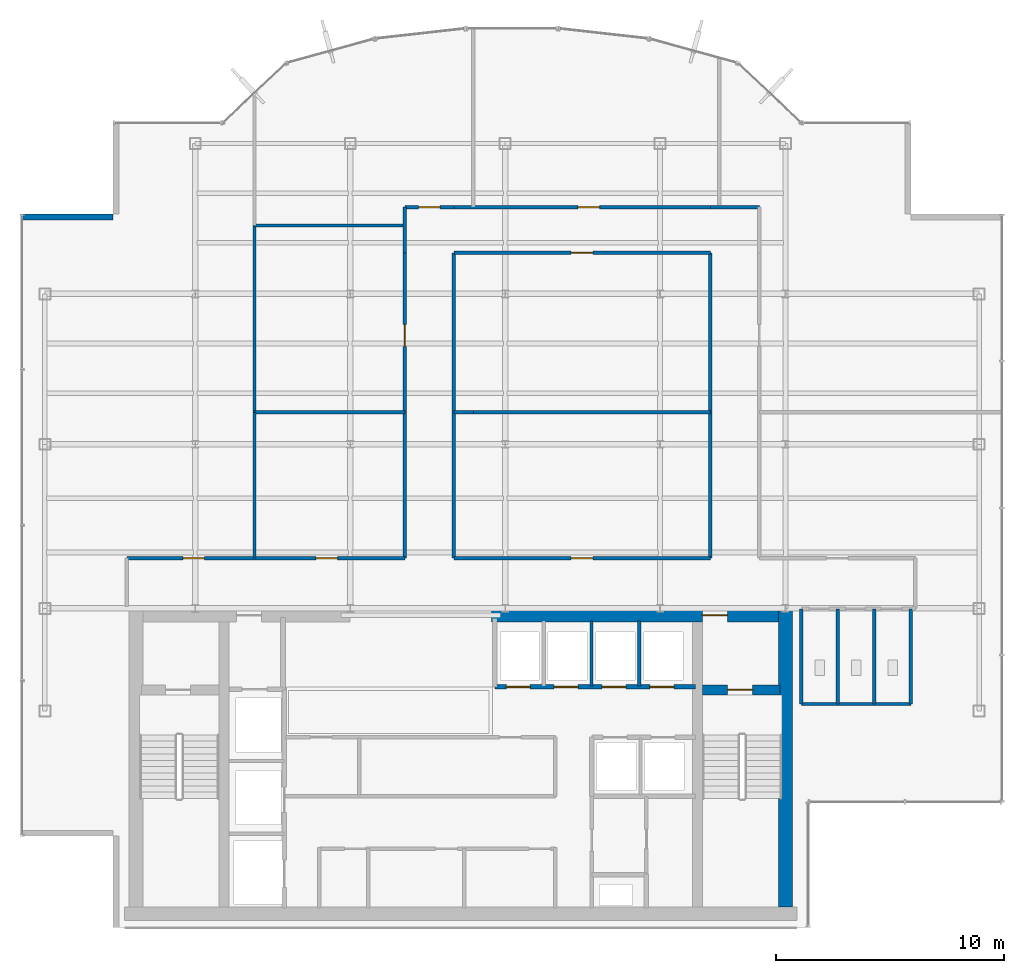
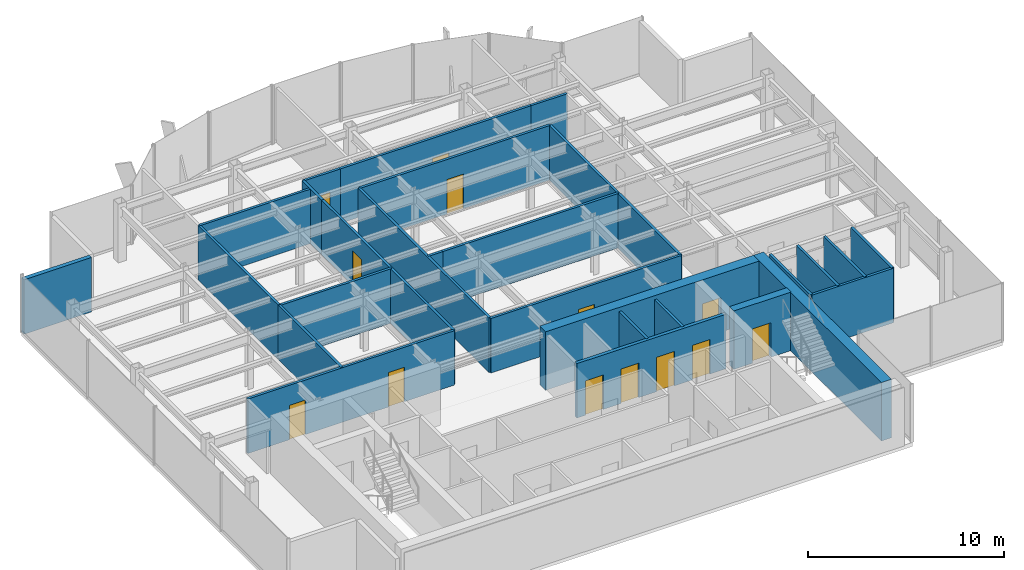
# One storey, part 18 of 22: 28 walls, 13 doors, 13 openings.
"""IFC4 building model written with IfcOpenShell, lengths in metres."""

import ifcopenshell
import ifcopenshell.guid

model = None  # the IFC model being written
_history = None  # IfcOwnerHistory: only IFC2X3 demands one
_inside = {}  # id of a spatial element -> (the spatial element, [elements in it])
_under = {}  # id of a project, library or spatial element -> (it, [spatial elements below it])
_declared = {}  # id of a project -> (the project, [libraries it declares])
_typed = {}  # id of a type object -> (the type object, [elements of that type])
_made_of = {}  # id of a material, layer set ... -> (it, [elements and type objects made of it])


def new_model(schema):
    """Start an empty IFC model of exactly this schema.

    Asked for "IFC4X3", IfcOpenShell would pick the latest addendum, in which some entities
    have other attributes; the version numbers below select the first issue.
    IFC2X3 requires an IfcOwnerHistory on every rooted entity: one is made here for all.
    """
    global model, _history
    if schema == "IFC4X3":
        model = ifcopenshell.file(schema_version=(4, 3, 0, 0))
    else:
        model = ifcopenshell.file(schema=schema)
    _inside.clear()
    _under.clear()
    _declared.clear()
    _typed.clear()
    _made_of.clear()
    _history = None
    if model.schema == "IFC2X3":
        org = make("IfcOrganization", Name="unknown")
        user = make(
            "IfcPersonAndOrganization",
            ThePerson=make("IfcPerson", FamilyName="unknown"),
            TheOrganization=org,
        )
        app = make(
            "IfcApplication",
            ApplicationDeveloper=org,
            Version="unknown",
            ApplicationFullName="unknown",
            ApplicationIdentifier="unknown",
        )
        _history = make(
            "IfcOwnerHistory",
            OwningUser=user,
            OwningApplication=app,
            ChangeAction="ADDED",
            CreationDate=0,
        )
    return model


def make(cls, **values):
    """One entity of the class cls with the attributes given. An attribute that is None is left unset."""
    return model.create_entity(
        cls, **{name: value for name, value in values.items() if value is not None}
    )


def rooted(cls, **values):
    """An entity with a GlobalId (a new one), such as an element, a storey or a relation."""
    return make(cls, GlobalId=ifcopenshell.guid.new(), OwnerHistory=_history, **values)


def si_unit(unit_type, name, prefix=None):
    """IfcSIUnit, for example si_unit("LENGTHUNIT", "METRE", prefix="MILLI")."""
    return make("IfcSIUnit", UnitType=unit_type, Prefix=prefix, Name=name)


def derived_unit(unit_type, elements):
    """IfcDerivedUnit: a product of units, each with its exponent."""
    return make(
        "IfcDerivedUnit",
        Elements=[
            make("IfcDerivedUnitElement", Unit=unit, Exponent=power)
            for unit, power in elements
        ],
        UnitType=unit_type,
    )


def assignment(units):
    """IfcUnitAssignment: the units of a project."""
    return None if units is None else make("IfcUnitAssignment", Units=units)


def point(xyz):
    """IfcCartesianPoint."""
    return None if xyz is None else make("IfcCartesianPoint", Coordinates=xyz)


def direction(xyz):
    """IfcDirection."""
    return None if xyz is None else make("IfcDirection", DirectionRatios=xyz)


def frame(location, z_axis=None, x_axis=None):
    """IfcAxis2Placement3D, a coordinate frame: its origin and axes. An axis left out is left unset."""
    return make(
        "IfcAxis2Placement3D",
        Location=point(location),
        Axis=direction(z_axis),
        RefDirection=direction(x_axis),
    )


def frame_2d(location, x_axis=None):
    """IfcAxis2Placement2D, a coordinate frame in the plane: its origin and x axis."""
    return make(
        "IfcAxis2Placement2D", Location=point(location), RefDirection=direction(x_axis)
    )


def origin():
    """The frame at (0, 0, 0) with its axes left unset."""
    return frame((0.0, 0.0, 0.0))


def place(relative_to, where):
    """IfcLocalPlacement: puts the frame where relative to a parent placement (None: the world)."""
    return make(
        "IfcLocalPlacement", PlacementRelTo=relative_to, RelativePlacement=where
    )


def context(
    kind, dimensions, precision=None, world=None, true_north=None, identifier=None
):
    """IfcGeometricRepresentationContext, for example the 3D "Model" context."""
    return make(
        "IfcGeometricRepresentationContext",
        ContextIdentifier=identifier,
        ContextType=kind,
        CoordinateSpaceDimension=dimensions,
        Precision=precision,
        WorldCoordinateSystem=world,
        TrueNorth=true_north,
    )


def subcontext(parent, identifier, kind, view, scale=None):
    """IfcGeometricRepresentationSubContext, for example "Body" below "Model"."""
    return make(
        "IfcGeometricRepresentationSubContext",
        ContextIdentifier=identifier,
        ContextType=kind,
        ParentContext=parent,
        TargetScale=scale,
        TargetView=view,
    )


def project(units=None, contexts=None):
    """IfcProject with its units and contexts."""
    return rooted(
        "IfcProject",
        Name="project",
        RepresentationContexts=contexts,
        UnitsInContext=assignment(units),
    )


def spatial(cls, under=None, at=None, **own):
    """A site, building, storey or space (cls), placed at a placement, below another one or the project."""
    s = rooted(cls, ObjectPlacement=at, **own)
    if under is not None:
        _under.setdefault(under.id(), (under, []))[1].append(s)
    return s


def profile(cls, at=None, kind="AREA", **sizes):
    """A parametric profile (cls). Its sizes go by their IFC names, for example OverallWidth=200.0."""
    return make(cls, ProfileType=kind, Position=at, **sizes)


def rectangle(**sizes):
    """IfcRectangleProfileDef."""
    return profile("IfcRectangleProfileDef", **sizes)


def extrude(swept, where, along, depth):
    """IfcExtrudedAreaSolid: the profile swept, set in the frame where, extruded along a direction by depth."""
    return make(
        "IfcExtrudedAreaSolid",
        SweptArea=swept,
        Position=where,
        ExtrudedDirection=direction(along),
        Depth=depth,
    )


def shape(context_of_items, identifier, shape_type, items):
    """IfcShapeRepresentation: the items that make up one representation, for example the "Body"."""
    return make(
        "IfcShapeRepresentation",
        ContextOfItems=context_of_items,
        RepresentationIdentifier=identifier,
        RepresentationType=shape_type,
        Items=items,
    )


def source(mapping_origin, context_of_items, identifier, shape_type, items):
    """IfcRepresentationMap: a shape defined once, which mapped items show again and again."""
    return make(
        "IfcRepresentationMap",
        MappingOrigin=mapping_origin,
        MappedRepresentation=shape(context_of_items, identifier, shape_type, items),
    )


def transform(
    local_origin,
    x_axis=None,
    y_axis=None,
    z_axis=None,
    scale=None,
    scale2=None,
    scale3=None,
    uniform=True,
):
    """IfcCartesianTransformationOperator3D, or its non-uniform kind. x_axis, y_axis, z_axis: its Axis1, 2, 3."""
    if uniform:
        return make(
            "IfcCartesianTransformationOperator3D",
            Axis1=direction(x_axis),
            Axis2=direction(y_axis),
            LocalOrigin=point(local_origin),
            Scale=scale,
            Axis3=direction(z_axis),
        )
    return make(
        "IfcCartesianTransformationOperator3DnonUniform",
        Axis1=direction(x_axis),
        Axis2=direction(y_axis),
        LocalOrigin=point(local_origin),
        Scale=scale,
        Axis3=direction(z_axis),
        Scale2=scale2,
        Scale3=scale3,
    )


def mapped(mapping_source, mapping_target):
    """IfcMappedItem: shows the shape of a source again, moved by a transform."""
    return make(
        "IfcMappedItem", MappingSource=mapping_source, MappingTarget=mapping_target
    )


def material(Name=None, Category=None):
    """IfcMaterial."""
    return make("IfcMaterial", Name=Name, Category=Category)


def layer(
    of_material, thickness, ventilated=None, Name=None, Category=None, Priority=None
):
    """IfcMaterialLayer: one layer of a wall or slab, of a material (None: an air gap)."""
    return make(
        "IfcMaterialLayer",
        Material=of_material,
        LayerThickness=thickness,
        IsVentilated=ventilated,
        Name=Name,
        Category=Category,
        Priority=Priority,
    )


def layer_set(layers, Name=None):
    """IfcMaterialLayerSet."""
    return make("IfcMaterialLayerSet", MaterialLayers=layers, LayerSetName=Name)


def made_of(thing, what):
    """Note that an element or type object is made of a material, layer set ...; save() writes the relation."""
    if what is not None:
        _made_of.setdefault(what.id(), (what, []))[1].append(thing)
    return thing


def type_object(cls, material=None, **own):
    """A type object (cls), such as IfcWallType, which elements share."""
    return made_of(rooted(cls, **own), material)


def element(
    cls,
    number,
    at=None,
    inside=None,
    cuts=None,
    type_object=None,
    material=None,
    context=None,
    identifier="Body",
    shape_type=None,
    held_by="IfcProductDefinitionShape",
    body=None,
    shapes=None,
    **own,
):
    """One element of the class cls, such as IfcWall. Its Tag is "e" and its number.

    at: its placement. inside: the storey or other place that contains it. cuts: it is an
    opening in that element (IfcRelVoidsElement). A single representation is given by context,
    identifier, shape_type and body (its items); several are given by shapes. held_by: the class
    of the entity that holds the representations. save() writes the other relations.
    """
    e = rooted(cls, Tag="e%d" % number, ObjectPlacement=at, **own)
    if body is not None:
        shapes = [shape(context, identifier, shape_type, body)]
    if shapes is not None:
        e.Representation = make(held_by, Representations=shapes)
    if inside is not None:
        _inside.setdefault(inside.id(), (inside, []))[1].append(e)
    if cuts is not None:
        rooted(
            "IfcRelVoidsElement", RelatingBuildingElement=cuts, RelatedOpeningElement=e
        )
    if type_object is not None:
        _typed.setdefault(type_object.id(), (type_object, []))[1].append(e)
    return made_of(e, material)


def fill(opening, filler):
    """IfcRelFillsElement: the door or window that sits in an opening."""
    return rooted(
        "IfcRelFillsElement",
        RelatingOpeningElement=opening,
        RelatedBuildingElement=filler,
    )


def aggregate(whole, parts):
    """IfcRelAggregates: a whole, such as a stair, and the parts it consists of."""
    return rooted("IfcRelAggregates", RelatingObject=whole, RelatedObjects=parts)


def save(model, path):
    """Write the relations noted so far, then the file.

    IfcRelAggregates (storeys below a building ...), IfcRelContainedInSpatialStructure (elements
    in a storey), IfcRelDefinesByType, IfcRelAssociatesMaterial and IfcRelDeclares: one each for
    every whole, place, type object, material and project.
    """
    for whole, parts in _under.values():
        aggregate(whole, parts)
    for where, things in _inside.values():
        rooted(
            "IfcRelContainedInSpatialStructure",
            RelatedElements=things,
            RelatingStructure=where,
        )
    for kind, things in _typed.values():
        rooted("IfcRelDefinesByType", RelatedObjects=things, RelatingType=kind)
    for what, things in _made_of.values():
        rooted("IfcRelAssociatesMaterial", RelatedObjects=things, RelatingMaterial=what)
    for by, libraries in _declared.values():
        rooted("IfcRelDeclares", RelatingContext=by, RelatedDefinitions=libraries)
    model.write(path)


model = new_model("IFC4")

# Units and contexts
model_context = context("Model", 3, precision=1e-05, world=origin(), true_north=direction((0.0, 1.0)))
body_context = subcontext(model_context, "Body", "Model", "MODEL_VIEW")
ifc_project = project(units=[si_unit("LENGTHUNIT", "METRE"), si_unit("AREAUNIT", "SQUARE_METRE"), si_unit("VOLUMEUNIT", "CUBIC_METRE"), si_unit("PLANEANGLEUNIT", "RADIAN"), si_unit("MASSUNIT", "GRAM", prefix="KILO"), derived_unit("THERMALTRANSMITTANCEUNIT", [(si_unit("POWERUNIT", "WATT"), 1), (si_unit("LENGTHUNIT", "METRE"), -2), (si_unit("THERMODYNAMICTEMPERATUREUNIT", "KELVIN"), -1)])], contexts=[model_context])

# Site, building, storey
site_placement = place(None, origin())
site = spatial("IfcSite", under=ifc_project, at=site_placement, CompositionType="ELEMENT")
building_placement = place(site_placement, origin())
building = spatial("IfcBuilding", under=site, at=building_placement, Name="Skarnbrae Concourse Arena and Tower", CompositionType="ELEMENT")
storey_placement = place(building_placement, frame((0.0, 0.0, 269.75)))
storey = spatial("IfcBuildingStorey", under=building, at=storey_placement, Name="L70", CompositionType="ELEMENT", Elevation=269.75)

# Wall, opening, door
ifc_material_1 = material(Name="Concrete 50 MPa (C50/60)", Category="concrete")
ifc_layer_1 = layer(ifc_material_1, 0.449951171875)
ifc_layer_set_1 = layer_set([ifc_layer_1], Name="Concrete 50 MPa (C50/60)")
wall_type_1 = type_object("IfcWallType", Name="WALL-CORE-450-C50", PredefinedType="SHEAR", material=ifc_layer_set_1)
shared_shape_1 = source(origin(), body_context, "Body", "SweptSolid", [
    extrude(rectangle(XDim=3.389892578125, YDim=0.449951171875, at=frame_2d((1.69482421875, 0.0))), origin(), (0.0, 0.0, 1.0), 3.64990234375),
])
wall_1_placement = place(storey_placement, frame((29.860107421875, 10.419921875, 0.0), z_axis=(0.0, 0.0, 1.0), x_axis=(1.0, 0.0, 0.0)))
wall_1 = element("IfcWall", 1, at=wall_1_placement, inside=storey, type_object=wall_type_1, Name="L70 Rear core shear wall CW-ST2-N", PredefinedType="SHEAR", context=body_context, shape_type="MappedRepresentation", body=[
    mapped(shared_shape_1, transform((0.0, 0.0, 0.0))),
])
opening_1_placement = place(wall_1_placement, frame((1.10009765625, 0.0, 0.0)))
opening_1 = element("IfcOpeningElement", 2, at=opening_1_placement, cuts=wall_1, Name="Opening DT-03", PredefinedType="OPENING", context=body_context, shape_type="SweptSolid", body=[
    extrude(rectangle(XDim=1.10009765625, YDim=2.14990234375, at=frame_2d((0.550048828125, 1.074951171875))), frame((0.0, 0.23486328125, 0.0), z_axis=(0.0, -1.0, 0.0), x_axis=(1.0, 0.0, 0.0)), (0.0, 0.0, 1.0), 0.469970703125),
])
ifc_material_2 = material(Name="Steel CSA G40.21 350W", Category="steel")
door_type_1 = type_object("IfcDoorType", Name="DOOR-FIRE-1100-90M", OperationType="NOTDEFINED", PredefinedType="DOOR", material=ifc_material_2)
shared_shape_2 = source(origin(), body_context, "Body", "SweptSolid", [
    extrude(rectangle(XDim=1.10009765625, YDim=2.14990234375, at=frame_2d((0.550048828125, 1.074951171875))), frame((0.0, 0.02490234375, 0.0), z_axis=(0.0, -1.0, 0.0), x_axis=(1.0, 0.0, 0.0)), (0.0, 0.0, 1.0), 0.050048828125),
])
door_1_placement = place(opening_1_placement, frame((1.10009765625, 0.0, 0.0), z_axis=(0.0, 0.0, 1.0), x_axis=(-1.0, 0.0, 0.0)))
door_1 = element("IfcDoor", 3, at=door_1_placement, inside=storey, type_object=door_type_1, Name="D-2107 Stair ST-2 Door", OperationType="SINGLE_SWING_RIGHT", OverallHeight=2.14990234375, OverallWidth=1.10009765625, PredefinedType="DOOR", context=body_context, shape_type="MappedRepresentation", body=[
    mapped(shared_shape_2, transform((0.0, 0.0, 0.0))),
])
fill(opening_1, door_1)

# Wall
ifc_layer_2 = layer(ifc_material_1, 0.60009765625)
ifc_layer_set_2 = layer_set([ifc_layer_2], Name="Concrete 50 MPa (C50/60)")
wall_type_2 = type_object("IfcWallType", Name="WALL-CORE-600-C50", PredefinedType="SHEAR", material=ifc_layer_set_2)
shared_shape_3 = source(origin(), body_context, "Body", "SweptSolid", [
    extrude(rectangle(XDim=13.10009765625, YDim=0.60009765625, at=frame_2d((6.550048828125, 0.0))), origin(), (0.0, 0.0, 1.0), 3.64990234375),
])
wall_2_placement = place(storey_placement, frame((33.5, 0.89990234375, 0.0), z_axis=(0.0, 0.0, 1.0), x_axis=(0.0, 1.0, 0.0)))
element("IfcWall", 4, at=wall_2_placement, inside=storey, type_object=wall_type_2, Name="L70 Rear core shear wall CW-E", PredefinedType="SHEAR", context=body_context, shape_type="MappedRepresentation", body=[
    mapped(shared_shape_3, transform((0.0, 0.0, 0.0))),
])

# Wall, opening, door
shared_shape_4 = source(origin(), body_context, "Body", "SweptSolid", [
    extrude(rectangle(XDim=12.599853515625, YDim=0.60009765625, at=frame_2d((6.2998046875, 0.0))), origin(), (0.0, 0.0, 1.0), 3.64990234375),
])
wall_3_placement = place(storey_placement, frame((20.60009765625, 13.699951171875, 0.0), z_axis=(0.0, 0.0, 1.0), x_axis=(1.0, 0.0, 0.0)))
wall_3 = element("IfcWall", 5, at=wall_3_placement, inside=storey, type_object=wall_type_2, Name="L70 Rear core shear wall CW-NE", PredefinedType="SHEAR", context=body_context, shape_type="MappedRepresentation", body=[
    mapped(shared_shape_4, transform((0.0, 0.0, 0.0))),
])
opening_2_placement = place(wall_3_placement, frame((9.25, 0.0, 0.0)))
opening_2 = element("IfcOpeningElement", 6, at=opening_2_placement, cuts=wall_3, Name="Opening DT-03", PredefinedType="OPENING", context=body_context, shape_type="SweptSolid", body=[
    extrude(rectangle(XDim=1.10009765625, YDim=2.14990234375, at=frame_2d((0.550048828125, 1.074951171875))), frame((0.0, 0.31005859375, 0.0), z_axis=(0.0, -1.0, 0.0), x_axis=(1.0, 0.0, 0.0)), (0.0, 0.0, 1.0), 0.6201171875),
])
door_2_placement = place(opening_2_placement, origin())
door_2 = element("IfcDoor", 7, at=door_2_placement, inside=storey, type_object=door_type_1, Name="D-2109 Stair ST-2 Vestibule Door", OperationType="SINGLE_SWING_LEFT", OverallHeight=2.14990234375, OverallWidth=1.10009765625, PredefinedType="DOOR", context=body_context, shape_type="MappedRepresentation", body=[
    mapped(shared_shape_2, transform((0.0, 0.0, 0.0))),
])
fill(opening_2, door_2)

# Wall
ifc_material_3 = material(Name="Precast concrete 40 MPa (C40/50)", Category="concrete")
ifc_layer_3 = layer(ifc_material_3, 0.25)
ifc_layer_set_3 = layer_set([ifc_layer_3], Name="Precast concrete 40 MPa (C40/50)")
wall_type_3 = type_object("IfcWallType", Name="WALL-EXT-SPANDREL-250", PredefinedType="STANDARD", material=ifc_layer_set_3)
shared_shape_5 = source(origin(), body_context, "Body", "SweptSolid", [
    extrude(rectangle(XDim=4.0, YDim=0.25, at=frame_2d((2.0, 0.0))), origin(), (0.0, 0.0, 1.0), 3.39990234375),
])
wall_4_placement = place(storey_placement, frame((4.0, 31.175048828125, 0.0), z_axis=(0.0, 0.0, 1.0), x_axis=(-1.0, 0.0, 0.0)))
element("IfcWall", 8, at=wall_4_placement, inside=storey, type_object=wall_type_3, Name="L70 Notched corner insulated return wall 17", PredefinedType="STANDARD", context=body_context, shape_type="MappedRepresentation", body=[
    mapped(shared_shape_5, transform((0.0, 0.0, 0.0))),
])

# Wall, openings, doors
ifc_material_4 = material(Name="Gypsum board on cold-formed steel studs", Category="steel")
ifc_layer_4 = layer(ifc_material_4, 0.199951171875)
ifc_layer_set_4 = layer_set([ifc_layer_4], Name="Gypsum board on cold-formed steel studs")
wall_type_4 = type_object("IfcWallType", Name="WALL-PART-200-2HR", PredefinedType="PARTITIONING", material=ifc_layer_set_4)
shared_shape_6 = source(origin(), body_context, "Body", "SweptSolid", [
    extrude(rectangle(XDim=8.800048828125, YDim=0.199951171875, at=frame_2d((4.39990234375, 0.0))), origin(), (0.0, 0.0, 1.0), 3.39990234375),
])
wall_5_placement = place(storey_placement, frame((20.75, 10.550048828125, 0.0), z_axis=(0.0, 0.0, 1.0), x_axis=(1.0, 0.0, 0.0)))
wall_5 = element("IfcWall", 9, at=wall_5_placement, inside=storey, type_object=wall_type_4, Name="L70 Interior partition wall W-L70-B3N-S", PredefinedType="PARTITIONING", context=body_context, shape_type="MappedRepresentation", body=[
    mapped(shared_shape_6, transform((0.0, 0.0, 0.0))),
])
opening_3_placement = place(wall_5_placement, frame((0.5, 0.0, 0.0)))
opening_3 = element("IfcOpeningElement", 10, at=opening_3_placement, cuts=wall_5, Name="Opening LD-04", PredefinedType="OPENING", context=body_context, shape_type="SweptSolid", body=[
    extrude(rectangle(XDim=1.050048828125, YDim=2.14990234375, at=frame_2d((0.52490234375, 1.074951171875))), frame((0.0, 0.10986328125, 0.0), z_axis=(0.0, -1.0, 0.0), x_axis=(1.0, 0.0, 0.0)), (0.0, 0.0, 1.0), 0.219970703125),
])
opening_4_placement = place(wall_5_placement, frame((2.60009765625, 0.0, 0.0)))
opening_4 = element("IfcOpeningElement", 11, at=opening_4_placement, cuts=wall_5, Name="Opening LD-04", PredefinedType="OPENING", context=body_context, shape_type="SweptSolid", body=[
    extrude(rectangle(XDim=1.050048828125, YDim=2.14990234375, at=frame_2d((0.52490234375, 1.074951171875))), frame((0.0, 0.10986328125, 0.0), z_axis=(0.0, -1.0, 0.0), x_axis=(1.0, 0.0, 0.0)), (0.0, 0.0, 1.0), 0.219970703125),
])
opening_5_placement = place(wall_5_placement, frame((4.699951171875, 0.0, 0.0)))
opening_5 = element("IfcOpeningElement", 12, at=opening_5_placement, cuts=wall_5, Name="Opening LD-04", PredefinedType="OPENING", context=body_context, shape_type="SweptSolid", body=[
    extrude(rectangle(XDim=1.050048828125, YDim=2.14990234375, at=frame_2d((0.52490234375, 1.074951171875))), frame((0.0, 0.10986328125, 0.0), z_axis=(0.0, -1.0, 0.0), x_axis=(1.0, 0.0, 0.0)), (0.0, 0.0, 1.0), 0.219970703125),
])
opening_6_placement = place(wall_5_placement, frame((6.800048828125, 0.0, 0.0)))
opening_6 = element("IfcOpeningElement", 13, at=opening_6_placement, cuts=wall_5, Name="Opening LD-04", PredefinedType="OPENING", context=body_context, shape_type="SweptSolid", body=[
    extrude(rectangle(XDim=1.050048828125, YDim=2.14990234375, at=frame_2d((0.52490234375, 1.074951171875))), frame((0.0, 0.10986328125, 0.0), z_axis=(0.0, -1.0, 0.0), x_axis=(1.0, 0.0, 0.0)), (0.0, 0.0, 1.0), 0.219970703125),
])
ifc_material_5 = material(Name="Bronze anodised aluminium 6063-T6", Category="aluminium")
door_type_2 = type_object("IfcDoorType", Name="DOOR-LIFT-SLIDE-1050H", OperationType="SLIDING_TO_LEFT", PredefinedType="DOOR", material=ifc_material_5)
shared_shape_7 = source(origin(), body_context, "Body", "SweptSolid", [
    extrude(rectangle(XDim=1.050048828125, YDim=2.14990234375, at=frame_2d((0.52490234375, 1.074951171875))), frame((0.0, 0.02490234375, 0.0), z_axis=(0.0, -1.0, 0.0), x_axis=(1.0, 0.0, 0.0)), (0.0, 0.0, 1.0), 0.050048828125),
])
door_3_placement = place(opening_3_placement, frame((1.050048828125, 0.0, 0.0), z_axis=(0.0, 0.0, 1.0), x_axis=(-1.0, 0.0, 0.0)))
door_3 = element("IfcDoor", 14, at=door_3_placement, inside=storey, type_object=door_type_2, Name="D-2118 Passenger Lift Landing Door PL-3A", OperationType="SLIDING_TO_LEFT", OverallHeight=2.14990234375, OverallWidth=1.050048828125, PredefinedType="DOOR", context=body_context, shape_type="MappedRepresentation", body=[
    mapped(shared_shape_7, transform((0.0, 0.0, 0.0))),
])
fill(opening_3, door_3)
door_4_placement = place(opening_4_placement, frame((1.050048828125, 0.0, 0.0), z_axis=(0.0, 0.0, 1.0), x_axis=(-1.0, 0.0, 0.0)))
door_4 = element("IfcDoor", 15, at=door_4_placement, inside=storey, type_object=door_type_2, Name="D-2119 Passenger Lift Landing Door PL-3B", OperationType="SLIDING_TO_LEFT", OverallHeight=2.14990234375, OverallWidth=1.050048828125, PredefinedType="DOOR", context=body_context, shape_type="MappedRepresentation", body=[
    mapped(shared_shape_7, transform((0.0, 0.0, 0.0))),
])
fill(opening_4, door_4)
door_5_placement = place(opening_5_placement, frame((1.050048828125, 0.0, 0.0), z_axis=(0.0, 0.0, 1.0), x_axis=(-1.0, 0.0, 0.0)))
door_5 = element("IfcDoor", 16, at=door_5_placement, inside=storey, type_object=door_type_2, Name="D-2120 Passenger Lift Landing Door PL-3C", OperationType="SLIDING_TO_LEFT", OverallHeight=2.14990234375, OverallWidth=1.050048828125, PredefinedType="DOOR", context=body_context, shape_type="MappedRepresentation", body=[
    mapped(shared_shape_7, transform((0.0, 0.0, 0.0))),
])
fill(opening_5, door_5)
door_6_placement = place(opening_6_placement, frame((1.050048828125, 0.0, 0.0), z_axis=(0.0, 0.0, 1.0), x_axis=(-1.0, 0.0, 0.0)))
door_6 = element("IfcDoor", 17, at=door_6_placement, inside=storey, type_object=door_type_2, Name="D-2121 Passenger Lift Landing Door PL-3D", OperationType="SLIDING_TO_LEFT", OverallHeight=2.14990234375, OverallWidth=1.050048828125, PredefinedType="DOOR", context=body_context, shape_type="MappedRepresentation", body=[
    mapped(shared_shape_7, transform((0.0, 0.0, 0.0))),
])
fill(opening_6, door_6)

# Walls
ifc_layer_5 = layer(ifc_material_4, 0.14990234375)
ifc_layer_set_5 = layer_set([ifc_layer_5], Name="Gypsum board on cold-formed steel studs")
wall_type_5 = type_object("IfcWallType", Name="WALL-PART-150", PredefinedType="PARTITIONING", material=ifc_layer_set_5)
shared_shape_8 = source(origin(), body_context, "Body", "SweptSolid", [
    extrude(rectangle(XDim=2.849853515625, YDim=0.14990234375, at=frame_2d((1.4248046875, 0.0))), origin(), (0.0, 0.0, 1.0), 3.39990234375),
])
for number, where, z_axis, x_axis, name in (
    (18, (24.989990234375, 10.60009765625, 0.0), (0.0, 0.0, 1.0), (0.0, 1.0, 0.0), "L70 Interior partition wall W-L70-B3N-P2"),
    (19, (27.090087890625, 10.60009765625, 0.0), (0.0, 0.0, 1.0), (0.0, 1.0, 0.0), "L70 Interior partition wall W-L70-B3N-P3"),
):
    element("IfcWall", number, at=place(storey_placement, frame(where, z_axis=z_axis, x_axis=x_axis)), inside=storey, type_object=wall_type_5, Name=name, PredefinedType="PARTITIONING", context=body_context, shape_type="MappedRepresentation", body=[
        mapped(shared_shape_8, transform((0.0, 0.0, 0.0))),
    ])
shared_shape_9 = source(origin(), body_context, "Body", "SweptSolid", [
    extrude(rectangle(XDim=4.800048828125, YDim=0.14990234375, at=frame_2d((2.39990234375, 0.0))), origin(), (0.0, 0.0, 1.0), 3.39990234375),
])
wall_6_placement = place(storey_placement, frame((34.199951171875, 9.800048828125, 0.0), z_axis=(0.0, 0.0, 1.0), x_axis=(1.0, 0.0, 0.0)))
element("IfcWall", 20, at=wall_6_placement, inside=storey, type_object=wall_type_5, Name="L70 Interior partition wall W-L70-WC-S", PredefinedType="PARTITIONING", context=body_context, shape_type="MappedRepresentation", body=[
    mapped(shared_shape_9, transform((0.0, 0.0, 0.0))),
])
shared_shape_10 = source(origin(), body_context, "Body", "SweptSolid", [
    extrude(rectangle(XDim=4.179931640625, YDim=0.14990234375, at=frame_2d((2.08984375, 0.0))), origin(), (0.0, 0.0, 1.0), 3.39990234375),
])
for number, where, z_axis, x_axis, name in (
    (21, (39.0, 9.800048828125, 0.0), (0.0, 0.0, 1.0), (0.0, 1.0, 0.0), "L70 Interior partition wall W-L70-WC-E"),
    (22, (34.199951171875, 9.800048828125, 0.0), (0.0, 0.0, 1.0), (0.0, 1.0, 0.0), "L70 Interior partition wall W-L70-WC-W"),
    (23, (35.800048828125, 9.800048828125, 0.0), (0.0, 0.0, 1.0), (0.0, 1.0, 0.0), "L70 Interior partition wall W-L70-WC-D1"),
    (24, (37.39990234375, 9.800048828125, 0.0), (0.0, 0.0, 1.0), (0.0, 1.0, 0.0), "L70 Interior partition wall W-L70-WC-D2"),
):
    element("IfcWall", number, at=place(storey_placement, frame(where, z_axis=z_axis, x_axis=x_axis)), inside=storey, type_object=wall_type_5, Name=name, PredefinedType="PARTITIONING", context=body_context, shape_type="MappedRepresentation", body=[
        mapped(shared_shape_10, transform((0.0, 0.0, 0.0))),
    ])

# Wall, opening, door
ifc_layer_6 = layer(ifc_material_4, 0.14990234375)
ifc_layer_set_6 = layer_set([ifc_layer_6], Name="Gypsum board on cold-formed steel studs")
wall_type_6 = type_object("IfcWallType", Name="WALL-PART-150-1HR", PredefinedType="PARTITIONING", material=ifc_layer_set_6)
shared_shape_11 = source(origin(), body_context, "Body", "SweptSolid", [
    extrude(rectangle(XDim=13.400146484375, YDim=0.14990234375, at=frame_2d((6.7001953125, 0.0))), origin(), (0.0, 0.0, 1.0), 3.39990234375),
])
wall_7_placement = place(storey_placement, frame((16.800048828125, 16.199951171875, 0.0), z_axis=(0.0, 0.0, 1.0), x_axis=(0.0, 1.0, 0.0)))
wall_7 = element("IfcWall", 25, at=wall_7_placement, inside=storey, type_object=wall_type_6, Name="L70 Interior partition wall W-L70-COR-03", PredefinedType="PARTITIONING", context=body_context, shape_type="MappedRepresentation", body=[
    mapped(shared_shape_11, transform((0.0, 0.0, 0.0))),
])
opening_7_placement = place(wall_7_placement, frame((9.294921875, 0.0, 0.0)))
opening_7 = element("IfcOpeningElement", 26, at=opening_7_placement, cuts=wall_7, Name="Opening DT-04", PredefinedType="OPENING", context=body_context, shape_type="SweptSolid", body=[
    extrude(rectangle(XDim=0.949951171875, YDim=2.14990234375, at=frame_2d((0.47509765625, 1.074951171875))), frame((0.0, 0.0849609375, 0.0), z_axis=(0.0, -1.0, 0.0), x_axis=(1.0, 0.0, 0.0)), (0.0, 0.0, 1.0), 0.169921875),
])
door_type_3 = type_object("IfcDoorType", Name="DOOR-INT-950-45M", OperationType="NOTDEFINED", PredefinedType="DOOR", material=ifc_material_2)
shared_shape_12 = source(origin(), body_context, "Body", "SweptSolid", [
    extrude(rectangle(XDim=0.949951171875, YDim=2.14990234375, at=frame_2d((0.47509765625, 1.074951171875))), frame((0.0, 0.02490234375, 0.0), z_axis=(0.0, -1.0, 0.0), x_axis=(1.0, 0.0, 0.0)), (0.0, 0.0, 1.0), 0.050048828125),
])
door_7_placement = place(opening_7_placement, origin())
door_7 = element("IfcDoor", 27, at=door_7_placement, inside=storey, type_object=door_type_3, Name="D-2131 L70 Suite Door 03", OperationType="SINGLE_SWING_RIGHT", OverallHeight=2.14990234375, OverallWidth=0.949951171875, PredefinedType="DOOR", context=body_context, shape_type="MappedRepresentation", body=[
    mapped(shared_shape_12, transform((0.0, 0.0, 0.0))),
])
fill(opening_7, door_7)

# Walls
for number, where, z_axis, x_axis, name in (
    (28, (30.199951171875, 16.199951171875, 0.0), (0.0, 0.0, 1.0), (0.0, 1.0, 0.0), "L70 Interior partition wall W-L70-COR-14"),
    (29, (18.949951171875, 29.60009765625, 0.0), (0.0, 0.0, 1.0), (0.0, -1.0, 0.0), "L70 Interior partition wall W-L70-COR-16"),
):
    element("IfcWall", number, at=place(storey_placement, frame(where, z_axis=z_axis, x_axis=x_axis)), inside=storey, type_object=wall_type_6, Name=name, PredefinedType="PARTITIONING", context=body_context, shape_type="MappedRepresentation", body=[
        mapped(shared_shape_11, transform((0.0, 0.0, 0.0))),
    ])

# Wall, openings, doors
shared_shape_13 = source(origin(), body_context, "Body", "SweptSolid", [
    extrude(rectangle(XDim=12.199951171875, YDim=0.14990234375, at=frame_2d((6.10009765625, 0.0))), origin(), (0.0, 0.0, 1.0), 3.39990234375),
])
wall_8_placement = place(storey_placement, frame((4.60009765625, 16.199951171875, 0.0), z_axis=(0.0, 0.0, 1.0), x_axis=(1.0, 0.0, 0.0)))
wall_8 = element("IfcWall", 30, at=wall_8_placement, inside=storey, type_object=wall_type_6, Name="L70 Interior partition wall W-L70-COR-02", PredefinedType="PARTITIONING", context=body_context, shape_type="MappedRepresentation", body=[
    mapped(shared_shape_13, transform((0.0, 0.0, 0.0))),
])
opening_8_placement = place(wall_8_placement, frame((2.455078125, 0.0, 0.0)))
opening_8 = element("IfcOpeningElement", 31, at=opening_8_placement, cuts=wall_8, Name="Opening DT-04", PredefinedType="OPENING", context=body_context, shape_type="SweptSolid", body=[
    extrude(rectangle(XDim=0.949951171875, YDim=2.14990234375, at=frame_2d((0.47509765625, 1.074951171875))), frame((0.0, 0.0849609375, 0.0), z_axis=(0.0, -1.0, 0.0), x_axis=(1.0, 0.0, 0.0)), (0.0, 0.0, 1.0), 0.169921875),
])
opening_9_placement = place(wall_8_placement, frame((8.294921875, 0.0, 0.0)))
opening_9 = element("IfcOpeningElement", 32, at=opening_9_placement, cuts=wall_8, Name="Opening DT-04", PredefinedType="OPENING", context=body_context, shape_type="SweptSolid", body=[
    extrude(rectangle(XDim=0.949951171875, YDim=2.14990234375, at=frame_2d((0.47509765625, 1.074951171875))), frame((0.0, 0.0849609375, 0.0), z_axis=(0.0, -1.0, 0.0), x_axis=(1.0, 0.0, 0.0)), (0.0, 0.0, 1.0), 0.169921875),
])
door_8_placement = place(opening_8_placement, origin())
door_8 = element("IfcDoor", 33, at=door_8_placement, inside=storey, type_object=door_type_3, Name="D-2129 L70 Suite Door 01", OperationType="SINGLE_SWING_RIGHT", OverallHeight=2.14990234375, OverallWidth=0.949951171875, PredefinedType="DOOR", context=body_context, shape_type="MappedRepresentation", body=[
    mapped(shared_shape_12, transform((0.0, 0.0, 0.0))),
])
fill(opening_8, door_8)
door_9_placement = place(opening_9_placement, origin())
door_9 = element("IfcDoor", 34, at=door_9_placement, inside=storey, type_object=door_type_3, Name="D-2130 L70 Suite Door 02", OperationType="SINGLE_SWING_LEFT", OverallHeight=2.14990234375, OverallWidth=0.949951171875, PredefinedType="DOOR", context=body_context, shape_type="MappedRepresentation", body=[
    mapped(shared_shape_12, transform((0.0, 0.0, 0.0))),
])
fill(opening_9, door_9)

# Walls
shared_shape_14 = source(origin(), body_context, "Body", "SweptSolid", [
    extrude(rectangle(XDim=8.199951171875, YDim=0.14990234375, at=frame_2d((4.10009765625, 0.0))), origin(), (0.0, 0.0, 1.0), 3.39990234375),
])
wall_9_placement = place(storey_placement, frame((10.199951171875, 30.800048828125, 0.0), z_axis=(0.0, 0.0, 1.0), x_axis=(0.0, -1.0, 0.0)))
element("IfcWall", 35, at=wall_9_placement, inside=storey, type_object=wall_type_5, Name="L70 Interior partition wall W-L70-DEM-19", PredefinedType="PARTITIONING", context=body_context, shape_type="MappedRepresentation", body=[
    mapped(shared_shape_14, transform((0.0, 0.0, 0.0))),
])
shared_shape_15 = source(origin(), body_context, "Body", "SweptSolid", [
    extrude(rectangle(XDim=2.0, YDim=0.14990234375, at=frame_2d((1.0, 0.0))), origin(), (0.0, 0.0, 1.0), 3.39990234375),
])
wall_10_placement = place(storey_placement, frame((16.800048828125, 29.60009765625, 0.0), z_axis=(0.0, 0.0, 1.0), x_axis=(0.0, 1.0, 0.0)))
element("IfcWall", 36, at=wall_10_placement, inside=storey, type_object=wall_type_6, Name="L70 Interior partition wall W-L70-COR-04", PredefinedType="PARTITIONING", context=body_context, shape_type="MappedRepresentation", body=[
    mapped(shared_shape_15, transform((0.0, 0.0, 0.0))),
])

# Wall, opening, door
shared_shape_16 = source(origin(), body_context, "Body", "SweptSolid", [
    extrude(rectangle(XDim=2.14990234375, YDim=0.14990234375, at=frame_2d((1.074951171875, 0.0))), origin(), (0.0, 0.0, 1.0), 3.39990234375),
])
wall_11_placement = place(storey_placement, frame((16.800048828125, 31.60009765625, 0.0), z_axis=(0.0, 0.0, 1.0), x_axis=(1.0, 0.0, 0.0)))
wall_11 = element("IfcWall", 37, at=wall_11_placement, inside=storey, type_object=wall_type_6, Name="L70 Interior partition wall W-L70-COR-05", PredefinedType="PARTITIONING", context=body_context, shape_type="MappedRepresentation", body=[
    mapped(shared_shape_16, transform((0.0, 0.0, 0.0))),
])
opening_10_placement = place(wall_11_placement, frame((0.60009765625, 0.0, 0.0)))
opening_10 = element("IfcOpeningElement", 38, at=opening_10_placement, cuts=wall_11, Name="Opening DT-04", PredefinedType="OPENING", context=body_context, shape_type="SweptSolid", body=[
    extrude(rectangle(XDim=0.949951171875, YDim=2.14990234375, at=frame_2d((0.47509765625, 1.074951171875))), frame((0.0, 0.0849609375, 0.0), z_axis=(0.0, -1.0, 0.0), x_axis=(1.0, 0.0, 0.0)), (0.0, 0.0, 1.0), 0.169921875),
])
door_10_placement = place(opening_10_placement, origin())
door_10 = element("IfcDoor", 39, at=door_10_placement, inside=storey, type_object=door_type_3, Name="D-2132 L70 Suite Door 04", OperationType="SINGLE_SWING_LEFT", OverallHeight=2.14990234375, OverallWidth=0.949951171875, PredefinedType="DOOR", context=body_context, shape_type="MappedRepresentation", body=[
    mapped(shared_shape_12, transform((0.0, 0.0, 0.0))),
])
fill(opening_10, door_10)

# Wall
shared_shape_17 = source(origin(), body_context, "Body", "SweptSolid", [
    extrude(rectangle(XDim=2.150146484375, YDim=0.14990234375, at=frame_2d((1.0751953125, 0.0))), origin(), (0.0, 0.0, 1.0), 3.39990234375),
])
wall_12_placement = place(storey_placement, frame((30.199951171875, 31.60009765625, 0.0), z_axis=(0.0, 0.0, 1.0), x_axis=(1.0, 0.0, 0.0)))
element("IfcWall", 40, at=wall_12_placement, inside=storey, type_object=wall_type_6, Name="L70 Interior partition wall W-L70-COR-07", PredefinedType="PARTITIONING", context=body_context, shape_type="MappedRepresentation", body=[
    mapped(shared_shape_17, transform((0.0, 0.0, 0.0))),
])

# Wall, opening, door
shared_shape_18 = source(origin(), body_context, "Body", "SweptSolid", [
    extrude(rectangle(XDim=11.25, YDim=0.14990234375, at=frame_2d((5.625, 0.0))), origin(), (0.0, 0.0, 1.0), 3.39990234375),
])
wall_13_placement = place(storey_placement, frame((18.949951171875, 31.60009765625, 0.0), z_axis=(0.0, 0.0, 1.0), x_axis=(1.0, 0.0, 0.0)))
wall_13 = element("IfcWall", 41, at=wall_13_placement, inside=storey, type_object=wall_type_6, Name="L70 Interior partition wall W-L70-COR-06", PredefinedType="PARTITIONING", context=body_context, shape_type="MappedRepresentation", body=[
    mapped(shared_shape_18, transform((0.0, 0.0, 0.0))),
])
opening_11_placement = place(wall_13_placement, frame((5.445068359375, 0.0, 0.0)))
opening_11 = element("IfcOpeningElement", 42, at=opening_11_placement, cuts=wall_13, Name="Opening DT-04", PredefinedType="OPENING", context=body_context, shape_type="SweptSolid", body=[
    extrude(rectangle(XDim=0.949951171875, YDim=2.14990234375, at=frame_2d((0.47509765625, 1.074951171875))), frame((0.0, 0.0849609375, 0.0), z_axis=(0.0, -1.0, 0.0), x_axis=(1.0, 0.0, 0.0)), (0.0, 0.0, 1.0), 0.169921875),
])
door_11_placement = place(opening_11_placement, origin())
door_11 = element("IfcDoor", 43, at=door_11_placement, inside=storey, type_object=door_type_3, Name="D-2135 L70 Suite Door 07", OperationType="SINGLE_SWING_RIGHT", OverallHeight=2.14990234375, OverallWidth=0.949951171875, PredefinedType="DOOR", context=body_context, shape_type="MappedRepresentation", body=[
    mapped(shared_shape_12, transform((0.0, 0.0, 0.0))),
])
fill(opening_11, door_11)

wall_14_placement = place(storey_placement, frame((18.949951171875, 16.199951171875, 0.0), z_axis=(0.0, 0.0, 1.0), x_axis=(1.0, 0.0, 0.0)))
wall_14 = element("IfcWall", 44, at=wall_14_placement, inside=storey, type_object=wall_type_6, Name="L70 Interior partition wall W-L70-COR-13", PredefinedType="PARTITIONING", context=body_context, shape_type="MappedRepresentation", body=[
    mapped(shared_shape_18, transform((0.0, 0.0, 0.0))),
])
opening_12_placement = place(wall_14_placement, frame((5.14990234375, 0.0, 0.0)))
opening_12 = element("IfcOpeningElement", 45, at=opening_12_placement, cuts=wall_14, Name="Opening DT-04", PredefinedType="OPENING", context=body_context, shape_type="SweptSolid", body=[
    extrude(rectangle(XDim=0.949951171875, YDim=2.14990234375, at=frame_2d((0.47509765625, 1.074951171875))), frame((0.0, 0.0849609375, 0.0), z_axis=(0.0, -1.0, 0.0), x_axis=(1.0, 0.0, 0.0)), (0.0, 0.0, 1.0), 0.169921875),
])
door_12_placement = place(opening_12_placement, origin())
door_12 = element("IfcDoor", 46, at=door_12_placement, inside=storey, type_object=door_type_3, Name="D-2133 L70 Suite Door 05", OperationType="SINGLE_SWING_RIGHT", OverallHeight=2.14990234375, OverallWidth=0.949951171875, PredefinedType="DOOR", context=body_context, shape_type="MappedRepresentation", body=[
    mapped(shared_shape_12, transform((0.0, 0.0, 0.0))),
])
fill(opening_12, door_12)

wall_15_placement = place(storey_placement, frame((30.199951171875, 29.60009765625, 0.0), z_axis=(0.0, 0.0, 1.0), x_axis=(-1.0, 0.0, 0.0)))
wall_15 = element("IfcWall", 47, at=wall_15_placement, inside=storey, type_object=wall_type_6, Name="L70 Interior partition wall W-L70-COR-15", PredefinedType="PARTITIONING", context=body_context, shape_type="MappedRepresentation", body=[
    mapped(shared_shape_18, transform((0.0, 0.0, 0.0))),
])
opening_13_placement = place(wall_15_placement, frame((5.14990234375, 0.0, 0.0)))
opening_13 = element("IfcOpeningElement", 48, at=opening_13_placement, cuts=wall_15, Name="Opening DT-04", PredefinedType="OPENING", context=body_context, shape_type="SweptSolid", body=[
    extrude(rectangle(XDim=0.949951171875, YDim=2.14990234375, at=frame_2d((0.47509765625, 1.074951171875))), frame((0.0, 0.0849609375, 0.0), z_axis=(0.0, -1.0, 0.0), x_axis=(1.0, 0.0, 0.0)), (0.0, 0.0, 1.0), 0.169921875),
])
door_13_placement = place(opening_13_placement, origin())
door_13 = element("IfcDoor", 49, at=door_13_placement, inside=storey, type_object=door_type_3, Name="D-2134 L70 Suite Door 06", OperationType="SINGLE_SWING_LEFT", OverallHeight=2.14990234375, OverallWidth=0.949951171875, PredefinedType="DOOR", context=body_context, shape_type="MappedRepresentation", body=[
    mapped(shared_shape_12, transform((0.0, 0.0, 0.0))),
])
fill(opening_13, door_13)

# Walls
shared_shape_19 = source(origin(), body_context, "Body", "SweptSolid", [
    extrude(rectangle(XDim=6.400146484375, YDim=0.14990234375, at=frame_2d((3.2001953125, 0.0))), origin(), (0.0, 0.0, 1.0), 3.39990234375),
])
wall_16_placement = place(storey_placement, frame((10.199951171875, 22.60009765625, 0.0), z_axis=(0.0, 0.0, 1.0), x_axis=(0.0, -1.0, 0.0)))
element("IfcWall", 50, at=wall_16_placement, inside=storey, type_object=wall_type_5, Name="L70 Interior partition wall W-L70-DEM-17", PredefinedType="PARTITIONING", context=body_context, shape_type="MappedRepresentation", body=[
    mapped(shared_shape_19, transform((0.0, 0.0, 0.0))),
])
shared_shape_20 = source(origin(), body_context, "Body", "SweptSolid", [
    extrude(rectangle(XDim=6.60009765625, YDim=0.14990234375, at=frame_2d((3.300048828125, 0.0))), origin(), (0.0, 0.0, 1.0), 3.39990234375),
])
for number, where, z_axis, x_axis, name in (
    (51, (10.199951171875, 22.60009765625, 0.0), (0.0, 0.0, 1.0), (1.0, 0.0, 0.0), "L70 Interior partition wall W-L70-DEM-18"),
    (52, (10.199951171875, 30.800048828125, 0.0), (0.0, 0.0, 1.0), (1.0, 0.0, 0.0), "L70 Interior partition wall W-L70-DEM-20"),
):
    element("IfcWall", number, at=place(storey_placement, frame(where, z_axis=z_axis, x_axis=x_axis)), inside=storey, type_object=wall_type_5, Name=name, PredefinedType="PARTITIONING", context=body_context, shape_type="MappedRepresentation", body=[
        mapped(shared_shape_20, transform((0.0, 0.0, 0.0))),
    ])
shared_shape_21 = source(origin(), body_context, "Body", "SweptSolid", [
    extrude(rectangle(XDim=0.85009765625, YDim=0.14990234375, at=frame_2d((0.425048828125, 0.0))), origin(), (0.0, 0.0, 1.0), 3.39990234375),
])
wall_17_placement = place(storey_placement, frame((18.949951171875, 22.60009765625, 0.0), z_axis=(0.0, 0.0, 1.0), x_axis=(1.0, 0.0, 0.0)))
element("IfcWall", 53, at=wall_17_placement, inside=storey, type_object=wall_type_5, Name="L70 Interior partition wall W-L70-DEM-22", PredefinedType="PARTITIONING", context=body_context, shape_type="MappedRepresentation", body=[
    mapped(shared_shape_21, transform((0.0, 0.0, 0.0))),
])
shared_shape_22 = source(origin(), body_context, "Body", "SweptSolid", [
    extrude(rectangle(XDim=10.39990234375, YDim=0.14990234375, at=frame_2d((5.199951171875, 0.0))), origin(), (0.0, 0.0, 1.0), 3.39990234375),
])
wall_18_placement = place(storey_placement, frame((19.800048828125, 22.60009765625, 0.0), z_axis=(0.0, 0.0, 1.0), x_axis=(1.0, 0.0, 0.0)))
element("IfcWall", 54, at=wall_18_placement, inside=storey, type_object=wall_type_5, Name="L70 Interior partition wall W-L70-DEM-23", PredefinedType="PARTITIONING", context=body_context, shape_type="MappedRepresentation", body=[
    mapped(shared_shape_22, transform((0.0, 0.0, 0.0))),
])

save(model, "model.ifc")
